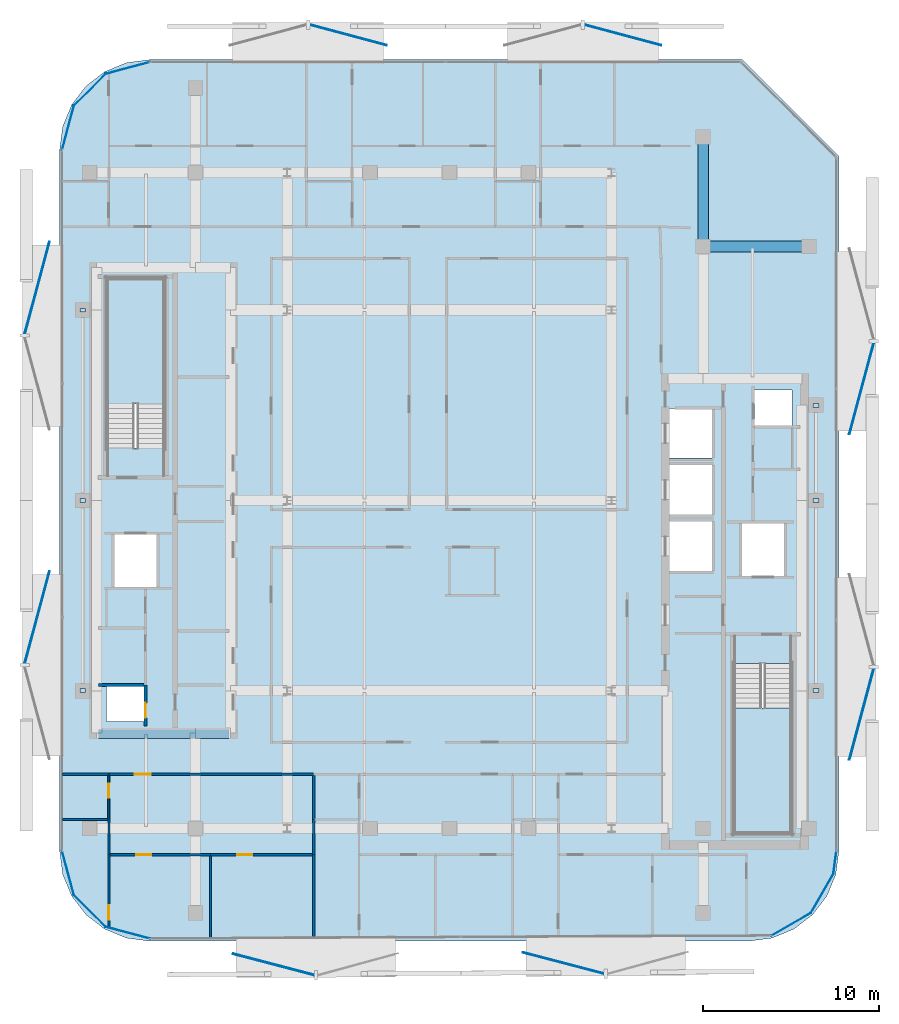
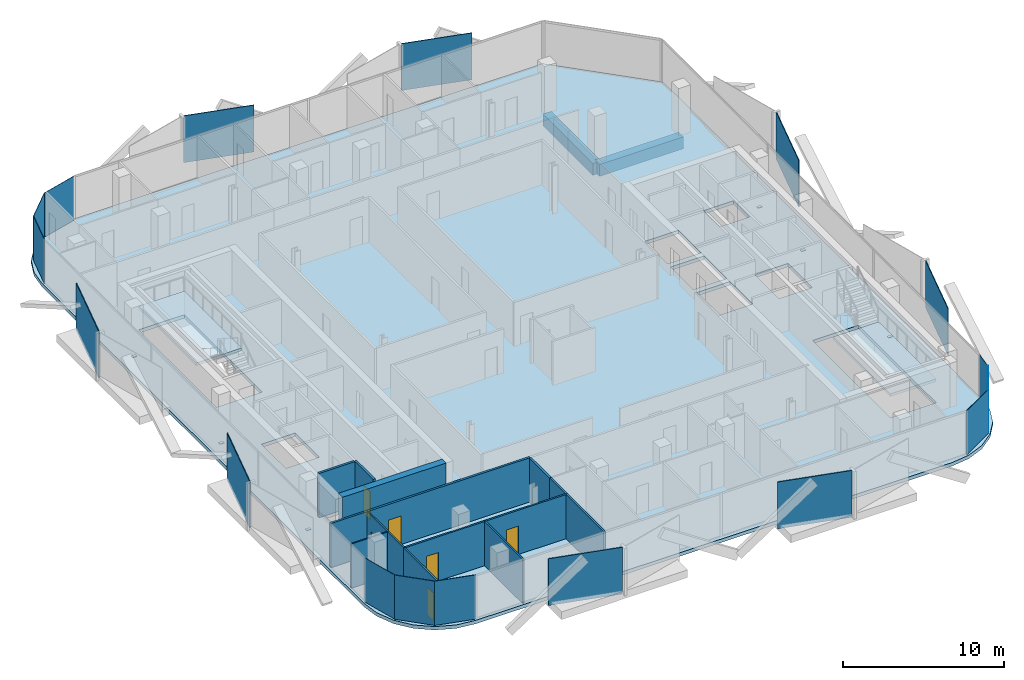
# One storey, part 2 of 15: 23 plates, 15 walls, 6 doors, 3 slabs, 2 beams, 6 openings, 2 elements without a shape of their own.
"""IFC4 building model written with IfcOpenShell, lengths in metres."""

from ifc_helpers import new_model, si_unit, direction, frame, frame_2d, origin, origin_2d, place, context, subcontext, project, spatial, polyline, rectangle, outline, extrude, material, layer, layer_set, material_profile, profile_set, type_object, element, fill, aggregate, save


model = new_model("IFC4")

# Units and contexts
model_context = context("Model", 3, precision=1e-05, world=origin(), true_north=direction((0.0, 1.0)))
body_context = subcontext(model_context, "Body", "Model", "MODEL_VIEW")
ifc_project = project(units=[si_unit("LENGTHUNIT", "METRE"), si_unit("AREAUNIT", "SQUARE_METRE"), si_unit("VOLUMEUNIT", "CUBIC_METRE"), si_unit("PLANEANGLEUNIT", "RADIAN"), si_unit("MASSUNIT", "GRAM", prefix="KILO")], contexts=[model_context])

# Site, building, storey
site_placement = place(None, origin())
site = spatial("IfcSite", under=ifc_project, at=site_placement, CompositionType="ELEMENT")
building_placement = place(site_placement, origin())
building = spatial("IfcBuilding", under=site, at=building_placement, Name="Khairoan Windgate Tower", CompositionType="ELEMENT")
storey_placement = place(building_placement, frame((0.0, 0.0, 244.0)))
storey = spatial("IfcBuildingStorey", under=building, at=storey_placement, Name="L57", CompositionType="ELEMENT", Elevation=244.0)

# Beams
ifc_material_1 = material(Name="Concrete C50/60", Category="concrete")
ifc_material_profile = material_profile(ifc_material_1, rectangle(XDim=0.60009765625, YDim=0.89990234375, at=origin_2d()))
ifc_profile_set = profile_set([ifc_material_profile], Name="Concrete C50/60")
beam_type = type_object("IfcBeamType", Name="Beam B-RC1 RC600x900", PredefinedType="BEAM", material=ifc_profile_set)
beam_1_placement = place(storey_placement, frame((14.39990234375, 14.39990234375, -0.7099609375), z_axis=(1.0, 0.0, 0.0), x_axis=(0.0, 1.0, 0.0)))
element("IfcBeam", 1, at=beam_1_placement, inside=storey, type_object=beam_type, Name="L57 E-W Primary Girder 21", PredefinedType="BEAM", context=body_context, shape_type="SweptSolid", body=[
    extrude(rectangle(XDim=0.60009765625, YDim=0.89990234375, at=origin_2d()), origin(), (0.0, 0.0, 1.0), 6.0),
])
beam_2_placement = place(storey_placement, frame((14.39990234375, 14.39990234375, -0.7099609375), z_axis=(0.0, 1.0, 0.0), x_axis=(-1.0, 0.0, 0.0)))
element("IfcBeam", 2, at=beam_2_placement, inside=storey, type_object=beam_type, Name="L57 N-S Primary Beam 53", PredefinedType="BEAM", context=body_context, shape_type="SweptSolid", body=[
    extrude(rectangle(XDim=0.60009765625, YDim=0.89990234375, at=origin_2d()), origin(), (0.0, 0.0, 1.0), 6.2001953125),
])

# Plates
ifc_material_2 = material(Name="Low-E Solar Control Laminated Glass", Category="glass")
ifc_layer_1 = layer(ifc_material_2, 0.030029296875, Name="Low-E Solar Control Laminated Glass")
ifc_layer_set_1 = layer_set([ifc_layer_1], Name="Low-E Solar Control Laminated Glass")
plate_type_1 = type_object("IfcPlateType", Name="Aerodynamic Wind-Corner Curved Glazing Plate", PredefinedType="USERDEFINED", material=ifc_layer_set_1)
plate_1_placement = place(storey_placement, frame((-18.235107421875, -24.527099609375, 0.0), z_axis=(0.0, 0.0, 1.0), x_axis=(-0.966061211211, 0.258313252067, 0.0)))
element("IfcPlate", 3, at=plate_1_placement, inside=storey, type_object=plate_type_1, Name="L57 Aerodynamic Wind-Corner Curved Glazing Panel 2", ObjectType="GLAZING PANEL", PredefinedType="USERDEFINED", context=body_context, shape_type="SweptSolid", body=[
    extrude(rectangle(XDim=2.6162109375, YDim=0.030029296875, at=origin_2d()), origin(), (0.0, 0.0, 1.0), 3.340087890625),
])
plate_2_placement = place(storey_placement, frame((-20.386962890625, -23.286865234375, 0.0), z_axis=(0.0, 0.0, 1.0), x_axis=(-0.707106781187, 0.707106781187, 0.0)))
element("IfcPlate", 4, at=plate_2_placement, inside=storey, type_object=plate_type_1, Name="L57 Aerodynamic Wind-Corner Curved Glazing Panel 3", ObjectType="GLAZING PANEL", PredefinedType="USERDEFINED", context=body_context, shape_type="SweptSolid", body=[
    extrude(rectangle(XDim=2.606689453125, YDim=0.030029296875, at=origin_2d()), origin(), (0.0, 0.0, 1.0), 3.340087890625),
])
for number, where, z_axis, x_axis, name in (
    (5, (-21.627197265625, -21.135009765625, 0.0), (0.0, 0.0, 1.0), (-0.258313252067, 0.966061211211, 0.0), "L57 Aerodynamic Wind-Corner Curved Glazing Panel 4"),
    (6, (-21.627197265625, 21.135009765625, 0.0), (0.0, 0.0, 1.0), (0.258313252067, 0.966061211211, 0.0), "L57 Aerodynamic Wind-Corner Curved Glazing Panel 6"),
):
    element("IfcPlate", number, at=place(storey_placement, frame(where, z_axis=z_axis, x_axis=x_axis)), inside=storey, type_object=plate_type_1, Name=name, ObjectType="GLAZING PANEL", PredefinedType="USERDEFINED", context=body_context, shape_type="SweptSolid", body=[
        extrude(rectangle(XDim=2.6162109375, YDim=0.030029296875, at=origin_2d()), origin(), (0.0, 0.0, 1.0), 3.340087890625),
    ])
plate_3_placement = place(storey_placement, frame((-20.386962890625, 23.286865234375, 0.0), z_axis=(0.0, 0.0, 1.0), x_axis=(0.707106781187, 0.707106781187, 0.0)))
element("IfcPlate", 7, at=plate_3_placement, inside=storey, type_object=plate_type_1, Name="L57 Aerodynamic Wind-Corner Curved Glazing Panel 7", ObjectType="GLAZING PANEL", PredefinedType="USERDEFINED", context=body_context, shape_type="SweptSolid", body=[
    extrude(rectangle(XDim=2.606689453125, YDim=0.030029296875, at=origin_2d()), origin(), (0.0, 0.0, 1.0), 3.340087890625),
])
plate_4_placement = place(storey_placement, frame((-18.235107421875, 24.527099609375, 0.0), z_axis=(0.0, 0.0, 1.0), x_axis=(0.966061211211, 0.258313252067, 0.0)))
element("IfcPlate", 8, at=plate_4_placement, inside=storey, type_object=plate_type_1, Name="L57 Aerodynamic Wind-Corner Curved Glazing Panel 8", ObjectType="GLAZING PANEL", PredefinedType="USERDEFINED", context=body_context, shape_type="SweptSolid", body=[
    extrude(rectangle(XDim=2.6162109375, YDim=0.030029296875, at=origin_2d()), origin(), (0.0, 0.0, 1.0), 3.340087890625),
])
plate_5_placement = place(storey_placement, frame((21.875, -20.537109375, 0.0), z_axis=(0.0, 0.0, 1.0), x_axis=(-0.13052619222, -0.991444861374, 0.0)))
element("IfcPlate", 9, at=plate_5_placement, inside=storey, type_object=plate_type_1, Name="L57 Aerodynamic Wind-Corner Curved Glazing Panel 12", ObjectType="GLAZING PANEL", PredefinedType="USERDEFINED", context=body_context, shape_type="SweptSolid", body=[
    extrude(rectangle(XDim=1.343994140625, YDim=0.030029296875, at=origin_2d()), origin(), (0.0, 0.0, 1.0), 3.340087890625),
])
for number, where, z_axis, x_axis, name in (
    (10, (21.148193359375, -22.294921875, 0.0), (0.0, 0.0, 1.0), (-0.5, -0.866025403784, 0.0), "L57 Aerodynamic Wind-Corner Curved Glazing Panel 13"),
    (11, (19.39501953125, -24.048095703125, 0.0), (0.0, 0.0, 1.0), (-0.866025403784, -0.5, 0.0), "L57 Aerodynamic Wind-Corner Curved Glazing Panel 14"),
):
    element("IfcPlate", number, at=place(storey_placement, frame(where, z_axis=z_axis, x_axis=x_axis)), inside=storey, type_object=plate_type_1, Name=name, ObjectType="GLAZING PANEL", PredefinedType="USERDEFINED", context=body_context, shape_type="SweptSolid", body=[
        extrude(rectangle(XDim=2.606689453125, YDim=0.030029296875, at=origin_2d()), origin(), (0.0, 0.0, 1.0), 3.340087890625),
    ])
ifc_material_3 = material(Name="Steel S355", Category="steel")
ifc_layer_2 = layer(ifc_material_3, 0.0400390625, Name="Steel S355")
ifc_layer_set_2 = layer_set([ifc_layer_2], Name="Steel S355")
plate_type_2 = type_object("IfcPlateType", Name="Hollow Section End-Cap Plate PL-CAP40", PredefinedType="SHEET", material=ifc_layer_set_2)
for number, where, z_axis, x_axis, name in (
    (12, (-20.800048828125, -10.784912109375, -0.429931640625), (0.0, 0.0, 1.0), (0.0, 1.0, 0.0), "BM-SP-L57-028 steel end-cap plate 1"),
    (13, (-20.800048828125, -0.014892578125, -0.429931640625), (0.0, 0.0, 1.0), (0.0, 1.0, 0.0), "BM-SP-L57-028 steel end-cap plate 2"),
    (14, (-20.800048828125, 10.784912109375, -0.429931640625), (0.0, 0.0, 1.0), (0.0, 1.0, 0.0), "BM-SP-L57-029 steel end-cap plate 2"),
    (15, (20.800048828125, -10.784912109375, -0.429931640625), (0.0, 0.0, 1.0), (0.0, 1.0, 0.0), "BM-SP-L57-057 steel end-cap plate 1"),
    (16, (20.800048828125, -0.014892578125, -0.429931640625), (0.0, 0.0, 1.0), (0.0, 1.0, 0.0), "BM-SP-L57-057 steel end-cap plate 2"),
    (17, (20.800048828125, 5.385009765625, -0.429931640625), (0.0, 0.0, 1.0), (0.0, 1.0, 0.0), "BM-SP-L57-058 steel end-cap plate 2"),
):
    element("IfcPlate", number, at=place(storey_placement, frame(where, z_axis=z_axis, x_axis=x_axis)), inside=storey, type_object=plate_type_2, Name=name, PredefinedType="SHEET", context=body_context, shape_type="SweptSolid", body=[
        extrude(rectangle(XDim=0.219970703125, YDim=0.320068359375, at=origin_2d()), origin(), (0.0, 0.0, 1.0), 0.0400390625),
    ])
ifc_material_4 = material(Name="Anodised Bronze Aluminium 6063-T6", Category="aluminium")
ifc_layer_3 = layer(ifc_material_4, 0.054931640625, Name="Anodised Bronze Aluminium 6063-T6")
ifc_layer_set_3 = layer_set([ifc_layer_3], Name="Anodised Bronze Aluminium 6063-T6")
plate_type_3 = type_object("IfcPlateType", Name="Perforated Bronze Solar Screen Upper Panel BSP-2", PredefinedType="USERDEFINED", material=ifc_layer_set_3)
for number, where, z_axis, x_axis, name in (
    (18, (6.47998046875, -26.25, -0.10009765625), (0.0, 0.0, 1.0), (-0.967179115616, 0.254095569259, 0.0), "L57 Perforated Bronze Solar Screen Panel 385R"),
    (19, (-9.957275390625, -26.3291015625, -0.10009765625), (0.0, 0.0, 1.0), (-0.967179115616, 0.254095569259, 0.0), "L57 Perforated Bronze Solar Screen Panel 386R"),
):
    element("IfcPlate", number, at=place(storey_placement, frame(where, z_axis=z_axis, x_axis=x_axis)), inside=storey, type_object=plate_type_3, Name=name, ObjectType="SCREEN", PredefinedType="USERDEFINED", context=body_context, shape_type="SweptSolid", body=[
        extrude(rectangle(XDim=4.76708984375, YDim=0.054931640625, at=origin_2d()), origin(), (0.0, 0.0, 1.0), 3.5400390625),
    ])
for number, where, z_axis, x_axis, name in (
    (20, (-23.378662109375, -6.6376953125, -0.10009765625), (0.0, 0.0, 1.0), (0.258819045103, 0.965925826289, 0.0), "L57 Perforated Bronze Solar Screen Panel 387R"),
    (21, (-23.378662109375, 12.052978515625, -0.10009765625), (0.0, 0.0, 1.0), (0.258819045103, 0.965925826289, 0.0), "L57 Perforated Bronze Solar Screen Panel 388R"),
):
    element("IfcPlate", number, at=place(storey_placement, frame(where, z_axis=z_axis, x_axis=x_axis)), inside=storey, type_object=plate_type_3, Name=name, ObjectType="SCREEN", PredefinedType="USERDEFINED", context=body_context, shape_type="SweptSolid", body=[
        extrude(rectangle(XDim=5.419921875, YDim=0.054931640625, at=origin_2d()), origin(), (0.0, 0.0, 1.0), 3.5400390625),
    ])
for number, where, z_axis, x_axis, name in (
    (22, (-5.731201171875, 26.3955078125, -0.10009765625), (0.0, 0.0, 1.0), (0.965925826289, -0.258819045103, 0.0), "L57 Perforated Bronze Solar Screen Panel 389R"),
    (23, (9.84521484375, 26.3955078125, -0.10009765625), (0.0, 0.0, 1.0), (0.965925826289, -0.258819045103, 0.0), "L57 Perforated Bronze Solar Screen Panel 390R"),
):
    element("IfcPlate", number, at=place(storey_placement, frame(where, z_axis=z_axis, x_axis=x_axis)), inside=storey, type_object=plate_type_3, Name=name, ObjectType="SCREEN", PredefinedType="USERDEFINED", context=body_context, shape_type="SweptSolid", body=[
        extrude(rectangle(XDim=4.51708984375, YDim=0.054931640625, at=origin_2d()), origin(), (0.0, 0.0, 1.0), 3.5400390625),
    ])
for number, where, z_axis, x_axis, name in (
    (24, (23.38671875, 6.34619140625, -0.10009765625), (0.0, 0.0, 1.0), (-0.258819045103, -0.965925826289, 0.0), "L57 Perforated Bronze Solar Screen Panel 391R"),
    (25, (23.38671875, -12.13037109375, -0.10009765625), (0.0, 0.0, 1.0), (-0.258819045103, -0.965925826289, 0.0), "L57 Perforated Bronze Solar Screen Panel 392R"),
):
    element("IfcPlate", number, at=place(storey_placement, frame(where, z_axis=z_axis, x_axis=x_axis)), inside=storey, type_object=plate_type_3, Name=name, ObjectType="SCREEN", PredefinedType="USERDEFINED", context=body_context, shape_type="SweptSolid", body=[
        extrude(rectangle(XDim=5.35791015625, YDim=0.054931640625, at=origin_2d()), origin(), (0.0, 0.0, 1.0), 3.5400390625),
    ])

# Stair, slab
ifc_material_5 = material(Name="Concrete C40/50", Category="concrete")
stair_type = type_object("IfcStairType", Name="Tower Core Dog-Leg Stair ST-T1 1560mm", PredefinedType="HALF_TURN_STAIR", material=ifc_material_5)
stair_1_placement = place(storey_placement, origin())
stair_1 = element("IfcStair", 26, at=stair_1_placement, inside=storey, type_object=stair_type, Name="L57 Stair ST1", PredefinedType="HALF_TURN_STAIR")
ifc_material_6 = material(Name="Concrete C40/50", Category="concrete")
ifc_layer_4 = layer(ifc_material_6, 0.199951171875, Name="Concrete C40/50")
ifc_layer_set_4 = layer_set([ifc_layer_4], Name="Concrete C40/50")
slab_type_1 = type_object("IfcSlabType", Name="Reinforced Concrete Stair Landing Slab STL-200", PredefinedType="LANDING", material=ifc_layer_set_4)
slab_1_placement = place(storey_placement, frame((0.0, 0.0, 1.60009765625)))
slab_1 = element("IfcSlab", 27, at=slab_1_placement, type_object=slab_type_1, Name="ST1 landing 1", PredefinedType="LANDING", context=body_context, shape_type="SweptSolid", body=[
    extrude(outline(polyline([(16.14990234375, -11.780029296875), (16.14990234375, -18.89990234375), (19.419921875, -18.89990234375), (19.419921875, -11.780029296875), (16.14990234375, -11.780029296875)])), origin(), (0.0, 0.0, 1.0), 0.199951171875),
])
aggregate(stair_1, [slab_1])

stair_2_placement = place(storey_placement, origin())
stair_2 = element("IfcStair", 28, at=stair_2_placement, inside=storey, type_object=stair_type, Name="L57 Stair ST2", PredefinedType="HALF_TURN_STAIR")
slab_2_placement = place(storey_placement, frame((0.0, 0.0, 1.60009765625)))
slab_2 = element("IfcSlab", 29, at=slab_2_placement, type_object=slab_type_1, Name="ST2 landing 1", PredefinedType="LANDING", context=body_context, shape_type="SweptSolid", body=[
    extrude(outline(polyline([(-16.14990234375, 5.47998046875), (-16.14990234375, 12.60009765625), (-19.419921875, 12.60009765625), (-19.419921875, 5.47998046875), (-16.14990234375, 5.47998046875)])), origin(), (0.0, 0.0, 1.0), 0.199951171875),
])
aggregate(stair_2, [slab_2])

# Slab
ifc_material_7 = material(Name="Concrete C40/50", Category="concrete")
ifc_layer_5 = layer(ifc_material_7, 0.260009765625, Name="Concrete C40/50")
ifc_layer_set_5 = layer_set([ifc_layer_5], Name="Concrete C40/50")
slab_type_2 = type_object("IfcSlabType", Name="Tower Composite Floor Slab FS2 260mm", PredefinedType="FLOOR", material=ifc_layer_set_5)
slab_3_placement = place(storey_placement, frame((0.0, 0.0, -0.260009765625)))
element("IfcSlab", 30, at=slab_3_placement, inside=storey, type_object=slab_type_2, Name="L57 Structural Floor Slab", PredefinedType="FLOOR", context=body_context, shape_type="SweptSolid", body=[
    extrude(outline(polyline([(17.0, -25.0), (18.320068359375, -24.826171875), (19.550048828125, -24.316650390625), (20.606201171875, -23.506103515625), (21.416748046875, -22.449951171875), (21.92626953125, -21.219970703125), (22.10009765625, -19.89990234375), (22.10009765625, 19.52001953125), (16.6201171875, 25.0), (-17.0, 25.0), (-18.320068359375, 24.826171875), (-19.550048828125, 24.316650390625), (-20.606201171875, 23.506103515625), (-21.416748046875, 22.449951171875), (-21.92626953125, 21.219970703125), (-22.10009765625, 19.89990234375), (-22.10009765625, -19.89990234375), (-21.92626953125, -21.219970703125), (-21.416748046875, -22.449951171875), (-20.606201171875, -23.506103515625), (-19.550048828125, -24.316650390625), (-18.320068359375, -24.826171875), (-17.0, -25.0), (17.0, -25.0)]), holes=[polyline([(16.14990234375, -9.260009765625), (16.14990234375, -18.89990234375), (19.419921875, -18.89990234375), (19.419921875, -9.260009765625), (16.14990234375, -9.260009765625)]), polyline([(-16.14990234375, 2.9599609375), (-16.14990234375, 12.60009765625), (-19.419921875, 12.60009765625), (-19.419921875, 2.9599609375), (-16.14990234375, 2.9599609375)]), polyline([(12.5, 2.39990234375), (14.89990234375, 2.39990234375), (14.89990234375, 5.199951171875), (12.5, 5.199951171875), (12.5, 2.39990234375)]), polyline([(12.5, -0.800048828125), (14.89990234375, -0.800048828125), (14.89990234375, 2.0), (12.5, 2.0), (12.5, -0.800048828125)]), polyline([(12.5, -4.0), (14.89990234375, -4.0), (14.89990234375, -1.199951171875), (12.5, -1.199951171875), (12.5, -4.0)]), polyline([(16.60009765625, -4.300048828125), (19.0, -4.300048828125), (19.0, -1.300048828125), (16.60009765625, -1.300048828125), (16.60009765625, -4.300048828125)]), polyline([(-19.0, -4.89990234375), (-16.60009765625, -4.89990234375), (-16.60009765625, -1.89990234375), (-19.0, -1.89990234375), (-19.0, -4.89990234375)]), polyline([(-19.449951171875, -12.550048828125), (-17.31005859375, -12.550048828125), (-17.31005859375, -10.550048828125), (-19.449951171875, -10.550048828125), (-19.449951171875, -12.550048828125)]), polyline([(17.31005859375, 4.25), (19.449951171875, 4.25), (19.449951171875, 6.25), (17.31005859375, 6.25), (17.31005859375, 4.25)])]), origin(), (0.0, 0.0, 1.0), 0.260009765625),
])

# Wall
ifc_material_8 = material(Name="Moisture-Resistant Gypsum Partition", Category="gypsum")
ifc_layer_6 = layer(ifc_material_8, 0.10009765625, Name="Moisture-Resistant Gypsum Partition")
ifc_layer_set_6 = layer_set([ifc_layer_6], Name="Moisture-Resistant Gypsum Partition")
wall_type_1 = type_object("IfcWallType", Name="Bathroom Wet-Area Partition Wall", PredefinedType="PARTITIONING", material=ifc_layer_set_6)
wall_1_placement = place(storey_placement, frame((-21.955078125, -18.10009765625, 0.0), z_axis=(0.0, 0.0, 1.0), x_axis=(1.0, 0.0, 0.0)))
element("IfcWall", 31, at=wall_1_placement, inside=storey, type_object=wall_type_1, Name="L57 Interior Partition 069", PredefinedType="PARTITIONING", context=body_context, shape_type="SweptSolid", body=[
    extrude(rectangle(XDim=2.594970703125, YDim=0.10009765625, at=frame_2d((1.29736328125, 0.0))), origin(), (0.0, 0.0, 1.0), 3.340087890625),
])

# Wall, opening, door
wall_2_placement = place(storey_placement, frame((-19.31005859375, -18.10009765625, 0.0), z_axis=(0.0, 0.0, 1.0), x_axis=(0.0, 1.0, 0.0)))
wall_2 = element("IfcWall", 32, at=wall_2_placement, inside=storey, type_object=wall_type_1, Name="L57 Interior Partition 070", PredefinedType="PARTITIONING", context=body_context, shape_type="SweptSolid", body=[
    extrude(rectangle(XDim=2.5, YDim=0.10009765625, at=frame_2d((1.25, 0.0))), origin(), (0.0, 0.0, 1.0), 3.340087890625),
])
opening_1_placement = place(wall_2_placement, frame((1.239990234375, 0.0, 0.0)))
opening_1 = element("IfcOpeningElement", 33, at=opening_1_placement, cuts=wall_2, Name="Opening ID-BTH", PredefinedType="OPENING", context=body_context, shape_type="SweptSolid", body=[
    extrude(rectangle(XDim=0.800048828125, YDim=2.10009765625, at=frame_2d((0.39990234375, 1.050048828125))), frame((0.0, 0.06005859375, 0.0), z_axis=(0.0, -1.0, 0.0), x_axis=(1.0, 0.0, 0.0)), (0.0, 0.0, 1.0), 0.1201171875),
])
ifc_material_9 = material(Name="Teak Veneer Timber Leaf", Category="wood")
door_type_1 = type_object("IfcDoorType", Name="Internal Bathroom Door ID-BTH 800x2100", OperationType="NOTDEFINED", PredefinedType="DOOR", material=ifc_material_9)
door_1_placement = place(opening_1_placement, origin())
door_1 = element("IfcDoor", 34, at=door_1_placement, inside=storey, type_object=door_type_1, Name="L57 L57-48-L57-50 Door", OperationType="SINGLE_SWING_LEFT", OverallHeight=2.10009765625, OverallWidth=0.800048828125, PredefinedType="DOOR", context=body_context, shape_type="SweptSolid", body=[
    extrude(rectangle(XDim=0.800048828125, YDim=2.10009765625, at=frame_2d((0.39990234375, 1.050048828125))), frame((0.0, 0.02490234375, 0.0), z_axis=(0.0, -1.0, 0.0), x_axis=(1.0, 0.0, 0.0)), (0.0, 0.0, 1.0), 0.050048828125),
])
fill(opening_1, door_1)

# Walls
ifc_material_10 = material(Name="Acoustic Fire-Rated Gypsum Partition", Category="gypsum")
ifc_layer_7 = layer(ifc_material_10, 0.139892578125, Name="Acoustic Fire-Rated Gypsum Partition")
ifc_layer_set_7 = layer_set([ifc_layer_7], Name="Acoustic Fire-Rated Gypsum Partition")
wall_type_2 = type_object("IfcWallType", Name="Inter-Tenancy Compartment Wall", PredefinedType="PARTITIONING", material=ifc_layer_set_7)
wall_3_placement = place(storey_placement, frame((-7.699951171875, -18.10009765625, 0.0), z_axis=(0.0, 0.0, 1.0), x_axis=(0.0, 1.0, 0.0)))
element("IfcWall", 35, at=wall_3_placement, inside=storey, type_object=wall_type_2, Name="L57 Interior Partition 075", PredefinedType="PARTITIONING", context=body_context, shape_type="SweptSolid", body=[
    extrude(rectangle(XDim=2.5, YDim=0.139892578125, at=frame_2d((1.25, 0.0))), origin(), (0.0, 0.0, 1.0), 3.340087890625),
])
wall_4_placement = place(storey_placement, frame((-7.699951171875, -20.10009765625, 0.0), z_axis=(0.0, 0.0, 1.0), x_axis=(0.0, 1.0, 0.0)))
element("IfcWall", 36, at=wall_4_placement, inside=storey, type_object=wall_type_2, Name="L57 Interior Partition 076", PredefinedType="PARTITIONING", context=body_context, shape_type="SweptSolid", body=[
    extrude(rectangle(XDim=2.0, YDim=0.139892578125, at=frame_2d((1.0, 0.0))), origin(), (0.0, 0.0, 1.0), 3.340087890625),
])
wall_5_placement = place(storey_placement, frame((-7.699951171875, -24.810302734375, 0.0), z_axis=(0.0, 0.0, 1.0), x_axis=(0.0, 1.0, 0.0)))
element("IfcWall", 37, at=wall_5_placement, inside=storey, type_object=wall_type_2, Name="L57 Interior Partition 078", PredefinedType="PARTITIONING", context=body_context, shape_type="SweptSolid", body=[
    extrude(rectangle(XDim=4.710205078125, YDim=0.139892578125, at=frame_2d((2.35498046875, 0.0))), origin(), (0.0, 0.0, 1.0), 3.340087890625),
])
ifc_material_11 = material(Name="Gypsum Stud Partition", Category="gypsum")
ifc_layer_8 = layer(ifc_material_11, 0.1201171875, Name="Gypsum Stud Partition")
ifc_layer_set_8 = layer_set([ifc_layer_8], Name="Gypsum Stud Partition")
wall_type_3 = type_object("IfcWallType", Name="Internal Room Partition Wall", PredefinedType="PARTITIONING", material=ifc_layer_set_8)
wall_6_placement = place(storey_placement, frame((-19.31005859375, -20.10009765625, 0.0), z_axis=(0.0, 0.0, 1.0), x_axis=(0.0, 1.0, 0.0)))
element("IfcWall", 38, at=wall_6_placement, inside=storey, type_object=wall_type_3, Name="L57 Interior Partition 071", PredefinedType="PARTITIONING", context=body_context, shape_type="SweptSolid", body=[
    extrude(rectangle(XDim=2.0, YDim=0.1201171875, at=frame_2d((1.0, 0.0))), origin(), (0.0, 0.0, 1.0), 3.340087890625),
])

# Wall, opening, door
wall_7_placement = place(storey_placement, frame((-19.31005859375, -24.234619140625, 0.0), z_axis=(0.0, 0.0, 1.0), x_axis=(0.0, 1.0, 0.0)))
wall_7 = element("IfcWall", 39, at=wall_7_placement, inside=storey, type_object=wall_type_3, Name="L57 Interior Partition 072", PredefinedType="PARTITIONING", context=body_context, shape_type="SweptSolid", body=[
    extrude(rectangle(XDim=4.134521484375, YDim=0.1201171875, at=frame_2d((2.0673828125, 0.0))), origin(), (0.0, 0.0, 1.0), 3.340087890625),
])
opening_2_placement = place(wall_7_placement, frame((0.4599609375, 0.0, 0.0)))
opening_2 = element("IfcOpeningElement", 40, at=opening_2_placement, cuts=wall_7, Name="Opening ID-BTH", PredefinedType="OPENING", context=body_context, shape_type="SweptSolid", body=[
    extrude(rectangle(XDim=0.800048828125, YDim=2.10009765625, at=frame_2d((0.39990234375, 1.050048828125))), frame((0.0, 0.070068359375, 0.0), z_axis=(0.0, -1.0, 0.0), x_axis=(1.0, 0.0, 0.0)), (0.0, 0.0, 1.0), 0.14013671875),
])
door_2_placement = place(opening_2_placement, origin())
door_2 = element("IfcDoor", 41, at=door_2_placement, inside=storey, type_object=door_type_1, Name="L57 L57-49-L57-51 Door", OperationType="SINGLE_SWING_RIGHT", OverallHeight=2.10009765625, OverallWidth=0.800048828125, PredefinedType="DOOR", context=body_context, shape_type="SweptSolid", body=[
    extrude(rectangle(XDim=0.800048828125, YDim=2.10009765625, at=frame_2d((0.39990234375, 1.050048828125))), frame((0.0, 0.02490234375, 0.0), z_axis=(0.0, -1.0, 0.0), x_axis=(1.0, 0.0, 0.0)), (0.0, 0.0, 1.0), 0.050048828125),
])
fill(opening_2, door_2)

wall_8_placement = place(storey_placement, frame((-19.25, -20.10009765625, 0.0), z_axis=(0.0, 0.0, 1.0), x_axis=(1.0, 0.0, 0.0)))
wall_8 = element("IfcWall", 42, at=wall_8_placement, inside=storey, type_object=wall_type_3, Name="L57 Interior Partition 073", PredefinedType="PARTITIONING", context=body_context, shape_type="SweptSolid", body=[
    extrude(rectangle(XDim=5.705078125, YDim=0.1201171875, at=frame_2d((2.8525390625, 0.0))), origin(), (0.0, 0.0, 1.0), 3.340087890625),
])
opening_3_placement = place(wall_8_placement, frame((1.492919921875, 0.0, 0.0)))
opening_3 = element("IfcOpeningElement", 43, at=opening_3_placement, cuts=wall_8, Name="Opening ID-RM", PredefinedType="OPENING", context=body_context, shape_type="SweptSolid", body=[
    extrude(rectangle(XDim=0.860107421875, YDim=2.14990234375, at=frame_2d((0.43017578125, 1.074951171875))), frame((0.0, 0.070068359375, 0.0), z_axis=(0.0, -1.0, 0.0), x_axis=(1.0, 0.0, 0.0)), (0.0, 0.0, 1.0), 0.14013671875),
])
ifc_material_12 = material(Name="Teak Veneer Timber Leaf", Category="wood")
door_type_2 = type_object("IfcDoorType", Name="Internal Bedroom and Office Door ID-RM 860x2150", OperationType="NOTDEFINED", PredefinedType="DOOR", material=ifc_material_12)
door_3_placement = place(opening_3_placement, origin())
door_3 = element("IfcDoor", 44, at=door_3_placement, inside=storey, type_object=door_type_2, Name="L57 L57-50-L57-51 Door", OperationType="SINGLE_SWING_LEFT", OverallHeight=2.14990234375, OverallWidth=0.860107421875, PredefinedType="DOOR", context=body_context, shape_type="SweptSolid", body=[
    extrude(rectangle(XDim=0.860107421875, YDim=2.14990234375, at=frame_2d((0.43017578125, 1.074951171875))), frame((0.0, 0.02490234375, 0.0), z_axis=(0.0, -1.0, 0.0), x_axis=(1.0, 0.0, 0.0)), (0.0, 0.0, 1.0), 0.050048828125),
])
fill(opening_3, door_3)

wall_9_placement = place(storey_placement, frame((-13.544921875, -20.10009765625, 0.0), z_axis=(0.0, 0.0, 1.0), x_axis=(1.0, 0.0, 0.0)))
wall_9 = element("IfcWall", 45, at=wall_9_placement, inside=storey, type_object=wall_type_3, Name="L57 Interior Partition 074", PredefinedType="PARTITIONING", context=body_context, shape_type="SweptSolid", body=[
    extrude(rectangle(XDim=5.77490234375, YDim=0.1201171875, at=frame_2d((2.887451171875, 0.0))), origin(), (0.0, 0.0, 1.0), 3.340087890625),
])
opening_4_placement = place(wall_9_placement, frame((1.51123046875, 0.0, 0.0)))
opening_4 = element("IfcOpeningElement", 46, at=opening_4_placement, cuts=wall_9, Name="Opening ID-RM", PredefinedType="OPENING", context=body_context, shape_type="SweptSolid", body=[
    extrude(rectangle(XDim=0.860107421875, YDim=2.14990234375, at=frame_2d((0.43017578125, 1.074951171875))), frame((0.0, 0.070068359375, 0.0), z_axis=(0.0, -1.0, 0.0), x_axis=(1.0, 0.0, 0.0)), (0.0, 0.0, 1.0), 0.14013671875),
])
door_4_placement = place(opening_4_placement, origin())
door_4 = element("IfcDoor", 47, at=door_4_placement, inside=storey, type_object=door_type_2, Name="L57 L57-50-L57-52 Door", OperationType="SINGLE_SWING_RIGHT", OverallHeight=2.14990234375, OverallWidth=0.860107421875, PredefinedType="DOOR", context=body_context, shape_type="SweptSolid", body=[
    extrude(rectangle(XDim=0.860107421875, YDim=2.14990234375, at=frame_2d((0.43017578125, 1.074951171875))), frame((0.0, 0.02490234375, 0.0), z_axis=(0.0, -1.0, 0.0), x_axis=(1.0, 0.0, 0.0)), (0.0, 0.0, 1.0), 0.050048828125),
])
fill(opening_4, door_4)

# Wall
wall_10_placement = place(storey_placement, frame((-13.544921875, -24.83837890625, 0.0), z_axis=(0.0, 0.0, 1.0), x_axis=(0.0, 1.0, 0.0)))
element("IfcWall", 48, at=wall_10_placement, inside=storey, type_object=wall_type_3, Name="L57 Interior Partition 077", PredefinedType="PARTITIONING", context=body_context, shape_type="SweptSolid", body=[
    extrude(rectangle(XDim=4.678466796875, YDim=0.1201171875, at=frame_2d((2.33935546875, 0.0))), origin(), (0.0, 0.0, 1.0), 3.340087890625),
])

# Wall, opening, door
ifc_material_13 = material(Name="Concrete C40/50", Category="concrete")
ifc_layer_9 = layer(ifc_material_13, 0.159912109375, Name="Concrete C40/50")
ifc_layer_set_9 = layer_set([ifc_layer_9], Name="Concrete C40/50")
wall_type_4 = type_object("IfcWallType", Name="Plant and Refuge Compartment Wall", PredefinedType="PARTITIONING", material=ifc_layer_set_9)
wall_11_placement = place(storey_placement, frame((-17.22998046875, -12.7900390625, 0.0), z_axis=(0.0, 0.0, 1.0), x_axis=(0.0, 1.0, 0.0)))
wall_11 = element("IfcWall", 49, at=wall_11_placement, inside=storey, type_object=wall_type_4, Name="L57 Interior Partition 001", PredefinedType="PARTITIONING", context=body_context, shape_type="SweptSolid", body=[
    extrude(rectangle(XDim=2.320068359375, YDim=0.159912109375, at=frame_2d((1.16015625, 0.0))), origin(), (0.0, 0.0, 1.0), 3.340087890625),
])
opening_5_placement = place(wall_11_placement, frame((0.4599609375, 0.0, 0.0)))
opening_5 = element("IfcOpeningElement", 50, at=opening_5_placement, cuts=wall_11, Name="Opening FD-SRV", PredefinedType="OPENING", context=body_context, shape_type="SweptSolid", body=[
    extrude(rectangle(XDim=0.85009765625, YDim=2.10009765625, at=frame_2d((0.425048828125, 1.050048828125))), frame((0.0, 0.08984375, 0.0), z_axis=(0.0, -1.0, 0.0), x_axis=(1.0, 0.0, 0.0)), (0.0, 0.0, 1.0), 0.179931640625),
])
ifc_material_14 = material(Name="Steel S355", Category="steel")
door_type_3 = type_object("IfcDoorType", Name="Core Service and Riser Fire Door FD-SRV 850x2100", OperationType="NOTDEFINED", PredefinedType="DOOR", material=ifc_material_14)
door_5_placement = place(opening_5_placement, origin())
door_5 = element("IfcDoor", 51, at=door_5_placement, inside=storey, type_object=door_type_3, Name="L57 L57-04-L57-05 Door", OperationType="SINGLE_SWING_LEFT", OverallHeight=2.10009765625, OverallWidth=0.85009765625, PredefinedType="DOOR", context=body_context, shape_type="SweptSolid", body=[
    extrude(rectangle(XDim=0.85009765625, YDim=2.10009765625, at=frame_2d((0.425048828125, 1.050048828125))), frame((0.0, 0.02490234375, 0.0), z_axis=(0.0, -1.0, 0.0), x_axis=(1.0, 0.0, 0.0)), (0.0, 0.0, 1.0), 0.050048828125),
])
fill(opening_5, door_5)

# Walls
wall_12_placement = place(storey_placement, frame((-19.89990234375, -10.469970703125, 0.0), z_axis=(0.0, 0.0, 1.0), x_axis=(1.0, 0.0, 0.0)))
element("IfcWall", 52, at=wall_12_placement, inside=storey, type_object=wall_type_4, Name="L57 Interior Partition 004", PredefinedType="PARTITIONING", context=body_context, shape_type="SweptSolid", body=[
    extrude(rectangle(XDim=2.58984375, YDim=0.159912109375, at=frame_2d((1.294921875, 0.0))), origin(), (0.0, 0.0, 1.0), 3.340087890625),
])
ifc_material_15 = material(Name="Acoustic Fire-Rated Gypsum Partition", Category="gypsum")
ifc_layer_10 = layer(ifc_material_15, 0.14990234375, Name="Acoustic Fire-Rated Gypsum Partition")
ifc_layer_set_10 = layer_set([ifc_layer_10], Name="Acoustic Fire-Rated Gypsum Partition")
wall_type_5 = type_object("IfcWallType", Name="Rated Corridor Partition Wall", PredefinedType="PARTITIONING", material=ifc_layer_set_10)
wall_13_placement = place(storey_placement, frame((-21.955078125, -15.52490234375, 0.0), z_axis=(0.0, 0.0, 1.0), x_axis=(1.0, 0.0, 0.0)))
element("IfcWall", 53, at=wall_13_placement, inside=storey, type_object=wall_type_5, Name="L57 Interior Partition 033", PredefinedType="PARTITIONING", context=body_context, shape_type="SweptSolid", body=[
    extrude(rectangle(XDim=2.64501953125, YDim=0.14990234375, at=frame_2d((1.322509765625, 0.0))), origin(), (0.0, 0.0, 1.0), 3.340087890625),
])

# Wall, opening, door
wall_14_placement = place(storey_placement, frame((-19.31005859375, -15.52490234375, 0.0), z_axis=(0.0, 0.0, 1.0), x_axis=(1.0, 0.0, 0.0)))
wall_14 = element("IfcWall", 54, at=wall_14_placement, inside=storey, type_object=wall_type_5, Name="L57 Interior Partition 034", PredefinedType="PARTITIONING", context=body_context, shape_type="SweptSolid", body=[
    extrude(rectangle(XDim=11.610107421875, YDim=0.14990234375, at=frame_2d((5.80517578125, 0.0))), origin(), (0.0, 0.0, 1.0), 3.340087890625),
])
opening_6_placement = place(wall_14_placement, frame((1.479736328125, 0.0, 0.0)))
opening_6 = element("IfcOpeningElement", 55, at=opening_6_placement, cuts=wall_14, Name="Opening FD-ENT", PredefinedType="OPENING", context=body_context, shape_type="SweptSolid", body=[
    extrude(rectangle(XDim=0.89990234375, YDim=2.14990234375, at=frame_2d((0.449951171875, 1.074951171875))), frame((0.0, 0.0849609375, 0.0), z_axis=(0.0, -1.0, 0.0), x_axis=(1.0, 0.0, 0.0)), (0.0, 0.0, 1.0), 0.169921875),
])
ifc_material_16 = material(Name="Timber Fire-Rated Core", Category="wood")
door_type_4 = type_object("IfcDoorType", Name="Unit and Office Fire Entrance Door FD-ENT 900x2150", OperationType="NOTDEFINED", PredefinedType="DOOR", material=ifc_material_16)
door_6_placement = place(opening_6_placement, origin())
door_6 = element("IfcDoor", 56, at=door_6_placement, inside=storey, type_object=door_type_4, Name="L57 L57-32-L57-50 Door", OperationType="SINGLE_SWING_RIGHT", OverallHeight=2.14990234375, OverallWidth=0.89990234375, PredefinedType="DOOR", context=body_context, shape_type="SweptSolid", body=[
    extrude(rectangle(XDim=0.89990234375, YDim=2.14990234375, at=frame_2d((0.449951171875, 1.074951171875))), frame((0.0, 0.02490234375, 0.0), z_axis=(0.0, -1.0, 0.0), x_axis=(1.0, 0.0, 0.0)), (0.0, 0.0, 1.0), 0.050048828125),
])
fill(opening_6, door_6)

# Wall
ifc_material_17 = material(Name="Concrete C50/60", Category="concrete")
ifc_layer_11 = layer(ifc_material_17, 0.5, Name="Concrete C50/60")
ifc_layer_set_11 = layer_set([ifc_layer_11], Name="Concrete C50/60")
wall_type_6 = type_object("IfcWallType", Name="Shear Wall CW-W3 500mm", PredefinedType="SHEAR", material=ifc_layer_set_11)
wall_15_placement = place(storey_placement, frame((-19.89990234375, -13.25, 0.0), z_axis=(0.0, 0.0, 1.0), x_axis=(1.0, 0.0, 0.0)))
element("IfcWall", 57, at=wall_15_placement, inside=storey, type_object=wall_type_6, Name="W Core South Shear Wall L57", PredefinedType="SHEAR", context=body_context, shape_type="SweptSolid", body=[
    extrude(rectangle(XDim=7.39990234375, YDim=0.5, at=frame_2d((3.699951171875, 0.0))), origin(), (0.0, 0.0, 1.0), 3.340087890625),
])

save(model, "model.ifc")
